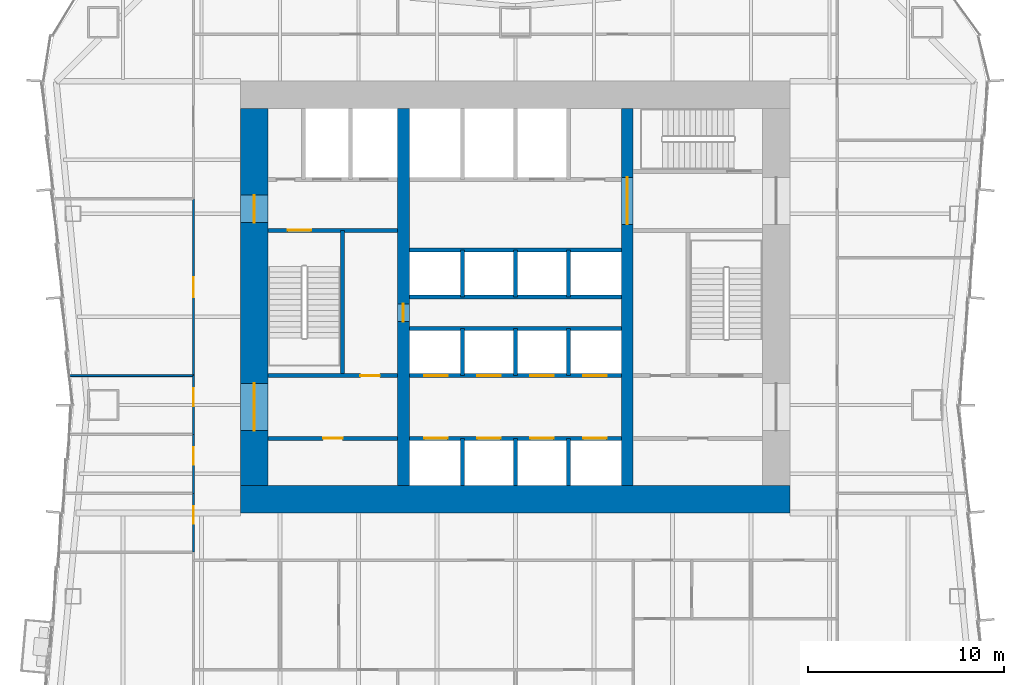
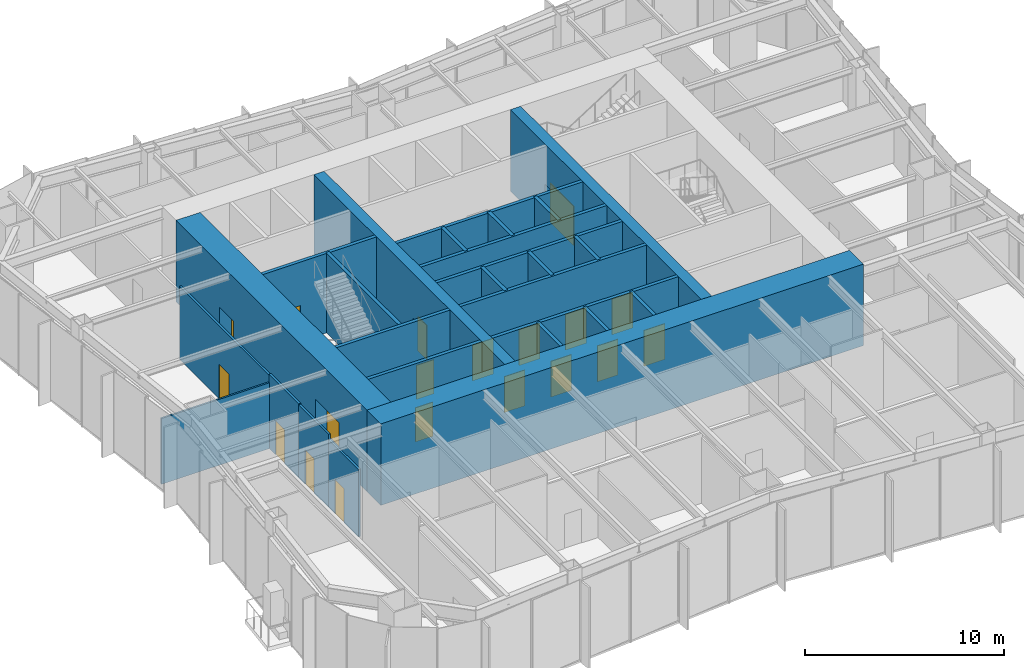
# One storey, part 10 of 14: 27 walls, 19 doors, 19 openings.
"""IFC4 building model written with IfcOpenShell, lengths in metres."""

from ifc_helpers import new_model, si_unit, direction, frame, frame_2d, origin, place, context, subcontext, project, spatial, rectangle, extrude, material, layer, layer_set, type_object, element, fill, save


model = new_model("IFC4")

# Units and contexts
model_context = context("Model", 3, precision=1e-05, world=origin(), true_north=direction((0.0, 1.0)))
body_context = subcontext(model_context, "Body", "Model", "MODEL_VIEW")
ifc_project = project(units=[si_unit("LENGTHUNIT", "METRE"), si_unit("AREAUNIT", "SQUARE_METRE"), si_unit("VOLUMEUNIT", "CUBIC_METRE"), si_unit("PLANEANGLEUNIT", "RADIAN"), si_unit("MASSUNIT", "GRAM", prefix="KILO")], contexts=[model_context])

# Site, building, storey
site_placement = place(None, origin())
site = spatial("IfcSite", under=ifc_project, at=site_placement, CompositionType="ELEMENT")
building_placement = place(site_placement, origin())
building = spatial("IfcBuilding", under=site, at=building_placement, Name="Verdant Reach Tower", CompositionType="ELEMENT")
storey_placement = place(building_placement, frame((0.0, 0.0, 9.0)))
storey = spatial("IfcBuildingStorey", under=building, at=storey_placement, Name="L01", CompositionType="ELEMENT", Elevation=9.0)

# Wall, opening, door
ifc_material_1 = material(Name="Gypsum board on steel studs", Category="steel")
ifc_layer_1 = layer(ifc_material_1, 0.199951171875)
ifc_layer_set_1 = layer_set([ifc_layer_1], Name="CO-WALL-ROOM")
wall_type_1 = type_object("IfcWallType", Name="CO-WALL-ROOM", PredefinedType="PARTITIONING", material=ifc_layer_set_1)
wall_1_placement = place(storey_placement, frame((-12.60009765625, 20.800048828125, 0.0), z_axis=(0.0, 0.0, 1.0), x_axis=(1.0, 0.0, 0.0)))
wall_1 = element("IfcWall", 1, at=wall_1_placement, inside=storey, type_object=wall_type_1, Name="Core partition, L01", PredefinedType="PARTITIONING", context=body_context, shape_type="SweptSolid", body=[
    extrude(rectangle(XDim=6.60009765625, YDim=0.199951171875, at=frame_2d((3.300048828125, 0.0))), origin(), (0.0, 0.0, 1.0), 4.8701171875),
])
opening_1_placement = place(wall_1_placement, frame((2.800048828125, 0.0, 0.0)))
opening_1 = element("IfcOpeningElement", 2, at=opening_1_placement, cuts=wall_1, Name="Opening CD", PredefinedType="OPENING", context=body_context, shape_type="SweptSolid", body=[
    extrude(rectangle(XDim=1.0, YDim=2.10009765625, at=frame_2d((0.5, 1.050048828125))), frame((0.0, 0.10986328125, 0.0), z_axis=(0.0, -1.0, 0.0), x_axis=(1.0, 0.0, 0.0)), (0.0, 0.0, 1.0), 0.219970703125),
])
ifc_material_2 = material(Name="Timber", Category="wood")
door_type_1 = type_object("IfcDoorType", Name="CO-DOOR-ROOM", OperationType="NOTDEFINED", PredefinedType="DOOR", material=ifc_material_2)
door_1_placement = place(opening_1_placement, origin())
door_1 = element("IfcDoor", 3, at=door_1_placement, inside=storey, type_object=door_type_1, Name="Core room door, L01", OperationType="SINGLE_SWING_LEFT", OverallHeight=2.10009765625, OverallWidth=1.0, PredefinedType="DOOR", context=body_context, shape_type="SweptSolid", body=[
    extrude(rectangle(XDim=1.0, YDim=2.10009765625, at=frame_2d((0.5, 1.050048828125))), frame((0.0, 0.02490234375, 0.0), z_axis=(0.0, -1.0, 0.0), x_axis=(1.0, 0.0, 0.0)), (0.0, 0.0, 1.0), 0.050048828125),
])
fill(opening_1, door_1)

# Wall, openings, doors
ifc_material_3 = material(Name="Concrete C40/50", Category="concrete")
ifc_layer_2 = layer(ifc_material_3, 0.199951171875)
ifc_layer_set_2 = layer_set([ifc_layer_2], Name="CO-WALL-SHAFT")
wall_type_2 = type_object("IfcWallType", Name="CO-WALL-SHAFT", PredefinedType="PARTITIONING", material=ifc_layer_set_2)
wall_2_placement = place(storey_placement, frame((-5.39990234375, 20.800048828125, 0.0), z_axis=(0.0, 0.0, 1.0), x_axis=(1.0, 0.0, 0.0)))
wall_2 = element("IfcWall", 4, at=wall_2_placement, inside=storey, type_object=wall_type_2, Name="Lift shaft wall, L01", PredefinedType="PARTITIONING", context=body_context, shape_type="SweptSolid", body=[
    extrude(rectangle(XDim=10.7998046875, YDim=0.199951171875, at=frame_2d((5.39990234375, 0.0))), origin(), (0.0, 0.0, 1.0), 4.8701171875),
])
opening_2_placement = place(wall_2_placement, frame((0.75, 0.0, 0.0)))
opening_2 = element("IfcOpeningElement", 5, at=opening_2_placement, cuts=wall_2, Name="Opening LD-A1", PredefinedType="OPENING", context=body_context, shape_type="SweptSolid", body=[
    extrude(rectangle(XDim=1.199951171875, YDim=2.199951171875, at=frame_2d((0.60009765625, 1.10009765625))), frame((0.0, 0.10986328125, 0.0), z_axis=(0.0, -1.0, 0.0), x_axis=(1.0, 0.0, 0.0)), (0.0, 0.0, 1.0), 0.219970703125),
])
opening_3_placement = place(wall_2_placement, frame((3.449951171875, 0.0, 0.0)))
opening_3 = element("IfcOpeningElement", 6, at=opening_3_placement, cuts=wall_2, Name="Opening LD-A2", PredefinedType="OPENING", context=body_context, shape_type="SweptSolid", body=[
    extrude(rectangle(XDim=1.199951171875, YDim=2.199951171875, at=frame_2d((0.60009765625, 1.10009765625))), frame((0.0, 0.10986328125, 0.0), z_axis=(0.0, -1.0, 0.0), x_axis=(1.0, 0.0, 0.0)), (0.0, 0.0, 1.0), 0.219970703125),
])
opening_4_placement = place(wall_2_placement, frame((6.14990234375, 0.0, 0.0)))
opening_4 = element("IfcOpeningElement", 7, at=opening_4_placement, cuts=wall_2, Name="Opening LD-A3", PredefinedType="OPENING", context=body_context, shape_type="SweptSolid", body=[
    extrude(rectangle(XDim=1.199951171875, YDim=2.199951171875, at=frame_2d((0.60009765625, 1.10009765625))), frame((0.0, 0.10986328125, 0.0), z_axis=(0.0, -1.0, 0.0), x_axis=(1.0, 0.0, 0.0)), (0.0, 0.0, 1.0), 0.219970703125),
])
opening_5_placement = place(wall_2_placement, frame((8.85009765625, 0.0, 0.0)))
opening_5 = element("IfcOpeningElement", 8, at=opening_5_placement, cuts=wall_2, Name="Opening LD-A4", PredefinedType="OPENING", context=body_context, shape_type="SweptSolid", body=[
    extrude(rectangle(XDim=1.199951171875, YDim=2.199951171875, at=frame_2d((0.60009765625, 1.10009765625))), frame((0.0, 0.10986328125, 0.0), z_axis=(0.0, -1.0, 0.0), x_axis=(1.0, 0.0, 0.0)), (0.0, 0.0, 1.0), 0.219970703125),
])
ifc_material_4 = material(Name="Stainless steel", Category="steel")
door_type_2 = type_object("IfcDoorType", Name="CO-DOOR-LANDING", OperationType="SLIDING_TO_LEFT", PredefinedType="DOOR", material=ifc_material_4)
door_2_placement = place(opening_2_placement, origin())
door_2 = element("IfcDoor", 9, at=door_2_placement, inside=storey, type_object=door_type_2, Name="Landing door A1, L01", OperationType="SLIDING_TO_LEFT", OverallHeight=2.199951171875, OverallWidth=1.199951171875, PredefinedType="DOOR", context=body_context, shape_type="SweptSolid", body=[
    extrude(rectangle(XDim=1.199951171875, YDim=2.199951171875, at=frame_2d((0.60009765625, 1.10009765625))), frame((0.0, 0.02490234375, 0.0), z_axis=(0.0, -1.0, 0.0), x_axis=(1.0, 0.0, 0.0)), (0.0, 0.0, 1.0), 0.050048828125),
])
fill(opening_2, door_2)
door_3_placement = place(opening_3_placement, origin())
door_3 = element("IfcDoor", 10, at=door_3_placement, inside=storey, type_object=door_type_2, Name="Landing door A2, L01", OperationType="SLIDING_TO_LEFT", OverallHeight=2.199951171875, OverallWidth=1.199951171875, PredefinedType="DOOR", context=body_context, shape_type="SweptSolid", body=[
    extrude(rectangle(XDim=1.199951171875, YDim=2.199951171875, at=frame_2d((0.60009765625, 1.10009765625))), frame((0.0, 0.02490234375, 0.0), z_axis=(0.0, -1.0, 0.0), x_axis=(1.0, 0.0, 0.0)), (0.0, 0.0, 1.0), 0.050048828125),
])
fill(opening_3, door_3)
door_4_placement = place(opening_4_placement, origin())
door_4 = element("IfcDoor", 11, at=door_4_placement, inside=storey, type_object=door_type_2, Name="Landing door A3, L01", OperationType="SLIDING_TO_LEFT", OverallHeight=2.199951171875, OverallWidth=1.199951171875, PredefinedType="DOOR", context=body_context, shape_type="SweptSolid", body=[
    extrude(rectangle(XDim=1.199951171875, YDim=2.199951171875, at=frame_2d((0.60009765625, 1.10009765625))), frame((0.0, 0.02490234375, 0.0), z_axis=(0.0, -1.0, 0.0), x_axis=(1.0, 0.0, 0.0)), (0.0, 0.0, 1.0), 0.050048828125),
])
fill(opening_4, door_4)
door_5_placement = place(opening_5_placement, origin())
door_5 = element("IfcDoor", 12, at=door_5_placement, inside=storey, type_object=door_type_2, Name="Landing door A4, L01", OperationType="SLIDING_TO_LEFT", OverallHeight=2.199951171875, OverallWidth=1.199951171875, PredefinedType="DOOR", context=body_context, shape_type="SweptSolid", body=[
    extrude(rectangle(XDim=1.199951171875, YDim=2.199951171875, at=frame_2d((0.60009765625, 1.10009765625))), frame((0.0, 0.02490234375, 0.0), z_axis=(0.0, -1.0, 0.0), x_axis=(1.0, 0.0, 0.0)), (0.0, 0.0, 1.0), 0.050048828125),
])
fill(opening_5, door_5)

wall_3_placement = place(storey_placement, frame((-5.39990234375, 24.0, 0.0), z_axis=(0.0, 0.0, 1.0), x_axis=(1.0, 0.0, 0.0)))
wall_3 = element("IfcWall", 13, at=wall_3_placement, inside=storey, type_object=wall_type_2, Name="Lift shaft wall, L01", PredefinedType="PARTITIONING", context=body_context, shape_type="SweptSolid", body=[
    extrude(rectangle(XDim=10.7998046875, YDim=0.199951171875, at=frame_2d((5.39990234375, 0.0))), origin(), (0.0, 0.0, 1.0), 4.8701171875),
])
opening_6_placement = place(wall_3_placement, frame((0.75, 0.0, 0.0)))
opening_6 = element("IfcOpeningElement", 14, at=opening_6_placement, cuts=wall_3, Name="Opening LD-A5", PredefinedType="OPENING", context=body_context, shape_type="SweptSolid", body=[
    extrude(rectangle(XDim=1.199951171875, YDim=2.199951171875, at=frame_2d((0.60009765625, 1.10009765625))), frame((0.0, 0.10986328125, 0.0), z_axis=(0.0, -1.0, 0.0), x_axis=(1.0, 0.0, 0.0)), (0.0, 0.0, 1.0), 0.219970703125),
])
opening_7_placement = place(wall_3_placement, frame((3.449951171875, 0.0, 0.0)))
opening_7 = element("IfcOpeningElement", 15, at=opening_7_placement, cuts=wall_3, Name="Opening LD-A6", PredefinedType="OPENING", context=body_context, shape_type="SweptSolid", body=[
    extrude(rectangle(XDim=1.199951171875, YDim=2.199951171875, at=frame_2d((0.60009765625, 1.10009765625))), frame((0.0, 0.10986328125, 0.0), z_axis=(0.0, -1.0, 0.0), x_axis=(1.0, 0.0, 0.0)), (0.0, 0.0, 1.0), 0.219970703125),
])
opening_8_placement = place(wall_3_placement, frame((6.14990234375, 0.0, 0.0)))
opening_8 = element("IfcOpeningElement", 16, at=opening_8_placement, cuts=wall_3, Name="Opening LD-A7", PredefinedType="OPENING", context=body_context, shape_type="SweptSolid", body=[
    extrude(rectangle(XDim=1.199951171875, YDim=2.199951171875, at=frame_2d((0.60009765625, 1.10009765625))), frame((0.0, 0.10986328125, 0.0), z_axis=(0.0, -1.0, 0.0), x_axis=(1.0, 0.0, 0.0)), (0.0, 0.0, 1.0), 0.219970703125),
])
opening_9_placement = place(wall_3_placement, frame((8.85009765625, 0.0, 0.0)))
opening_9 = element("IfcOpeningElement", 17, at=opening_9_placement, cuts=wall_3, Name="Opening LD-A8", PredefinedType="OPENING", context=body_context, shape_type="SweptSolid", body=[
    extrude(rectangle(XDim=1.199951171875, YDim=2.199951171875, at=frame_2d((0.60009765625, 1.10009765625))), frame((0.0, 0.10986328125, 0.0), z_axis=(0.0, -1.0, 0.0), x_axis=(1.0, 0.0, 0.0)), (0.0, 0.0, 1.0), 0.219970703125),
])
door_6_placement = place(opening_6_placement, origin())
door_6 = element("IfcDoor", 18, at=door_6_placement, inside=storey, type_object=door_type_2, Name="Landing door A5, L01", OperationType="SLIDING_TO_LEFT", OverallHeight=2.199951171875, OverallWidth=1.199951171875, PredefinedType="DOOR", context=body_context, shape_type="SweptSolid", body=[
    extrude(rectangle(XDim=1.199951171875, YDim=2.199951171875, at=frame_2d((0.60009765625, 1.10009765625))), frame((0.0, 0.02490234375, 0.0), z_axis=(0.0, -1.0, 0.0), x_axis=(1.0, 0.0, 0.0)), (0.0, 0.0, 1.0), 0.050048828125),
])
fill(opening_6, door_6)
door_7_placement = place(opening_7_placement, origin())
door_7 = element("IfcDoor", 19, at=door_7_placement, inside=storey, type_object=door_type_2, Name="Landing door A6, L01", OperationType="SLIDING_TO_LEFT", OverallHeight=2.199951171875, OverallWidth=1.199951171875, PredefinedType="DOOR", context=body_context, shape_type="SweptSolid", body=[
    extrude(rectangle(XDim=1.199951171875, YDim=2.199951171875, at=frame_2d((0.60009765625, 1.10009765625))), frame((0.0, 0.02490234375, 0.0), z_axis=(0.0, -1.0, 0.0), x_axis=(1.0, 0.0, 0.0)), (0.0, 0.0, 1.0), 0.050048828125),
])
fill(opening_7, door_7)
door_8_placement = place(opening_8_placement, origin())
door_8 = element("IfcDoor", 20, at=door_8_placement, inside=storey, type_object=door_type_2, Name="Landing door A7, L01", OperationType="SLIDING_TO_LEFT", OverallHeight=2.199951171875, OverallWidth=1.199951171875, PredefinedType="DOOR", context=body_context, shape_type="SweptSolid", body=[
    extrude(rectangle(XDim=1.199951171875, YDim=2.199951171875, at=frame_2d((0.60009765625, 1.10009765625))), frame((0.0, 0.02490234375, 0.0), z_axis=(0.0, -1.0, 0.0), x_axis=(1.0, 0.0, 0.0)), (0.0, 0.0, 1.0), 0.050048828125),
])
fill(opening_8, door_8)
door_9_placement = place(opening_9_placement, origin())
door_9 = element("IfcDoor", 21, at=door_9_placement, inside=storey, type_object=door_type_2, Name="Landing door A8, L01", OperationType="SLIDING_TO_LEFT", OverallHeight=2.199951171875, OverallWidth=1.199951171875, PredefinedType="DOOR", context=body_context, shape_type="SweptSolid", body=[
    extrude(rectangle(XDim=1.199951171875, YDim=2.199951171875, at=frame_2d((0.60009765625, 1.10009765625))), frame((0.0, 0.02490234375, 0.0), z_axis=(0.0, -1.0, 0.0), x_axis=(1.0, 0.0, 0.0)), (0.0, 0.0, 1.0), 0.050048828125),
])
fill(opening_9, door_9)

# Walls
for number, where, z_axis, x_axis, name in (
    (22, (-5.39990234375, 26.39990234375, 0.0), (0.0, 0.0, 1.0), (1.0, 0.0, 0.0), "Lift shaft wall, L01"),
    (23, (-5.39990234375, 28.0, 0.0), (0.0, 0.0, 1.0), (1.0, 0.0, 0.0), "Lift shaft wall, L01"),
    (24, (-5.39990234375, 30.39990234375, 0.0), (0.0, 0.0, 1.0), (1.0, 0.0, 0.0), "Lift shaft wall, L01"),
):
    element("IfcWall", number, at=place(storey_placement, frame(where, z_axis=z_axis, x_axis=x_axis)), inside=storey, type_object=wall_type_2, Name=name, PredefinedType="PARTITIONING", context=body_context, shape_type="SweptSolid", body=[
        extrude(rectangle(XDim=10.7998046875, YDim=0.199951171875, at=frame_2d((5.39990234375, 0.0))), origin(), (0.0, 0.0, 1.0), 4.8701171875),
    ])
wall_4_placement = place(storey_placement, frame((-2.699951171875, 18.39990234375, 0.0), z_axis=(0.0, 0.0, 1.0), x_axis=(0.0, 1.0, 0.0)))
element("IfcWall", 25, at=wall_4_placement, inside=storey, type_object=wall_type_2, Name="Lift shaft wall, L01", PredefinedType="PARTITIONING", context=body_context, shape_type="SweptSolid", body=[
    extrude(rectangle(XDim=2.400146484375, YDim=0.199951171875, at=frame_2d((1.2001953125, 0.0))), origin(), (0.0, 0.0, 1.0), 4.8701171875),
])
for number, where, z_axis, x_axis, name in (
    (26, (-2.699951171875, 24.0, 0.0), (0.0, 0.0, 1.0), (0.0, 1.0, 0.0), "Lift shaft wall, L01"),
    (27, (-2.699951171875, 28.0, 0.0), (0.0, 0.0, 1.0), (0.0, 1.0, 0.0), "Lift shaft wall, L01"),
):
    element("IfcWall", number, at=place(storey_placement, frame(where, z_axis=z_axis, x_axis=x_axis)), inside=storey, type_object=wall_type_2, Name=name, PredefinedType="PARTITIONING", context=body_context, shape_type="SweptSolid", body=[
        extrude(rectangle(XDim=2.39990234375, YDim=0.199951171875, at=frame_2d((1.199951171875, 0.0))), origin(), (0.0, 0.0, 1.0), 4.8701171875),
    ])
wall_5_placement = place(storey_placement, frame((0.0, 18.39990234375, 0.0), z_axis=(0.0, 0.0, 1.0), x_axis=(0.0, 1.0, 0.0)))
element("IfcWall", 28, at=wall_5_placement, inside=storey, type_object=wall_type_2, Name="Lift shaft wall, L01", PredefinedType="PARTITIONING", context=body_context, shape_type="SweptSolid", body=[
    extrude(rectangle(XDim=2.400146484375, YDim=0.199951171875, at=frame_2d((1.2001953125, 0.0))), origin(), (0.0, 0.0, 1.0), 4.8701171875),
])
for number, where, z_axis, x_axis, name in (
    (29, (0.0, 24.0, 0.0), (0.0, 0.0, 1.0), (0.0, 1.0, 0.0), "Lift shaft wall, L01"),
    (30, (0.0, 28.0, 0.0), (0.0, 0.0, 1.0), (0.0, 1.0, 0.0), "Lift shaft wall, L01"),
):
    element("IfcWall", number, at=place(storey_placement, frame(where, z_axis=z_axis, x_axis=x_axis)), inside=storey, type_object=wall_type_2, Name=name, PredefinedType="PARTITIONING", context=body_context, shape_type="SweptSolid", body=[
        extrude(rectangle(XDim=2.39990234375, YDim=0.199951171875, at=frame_2d((1.199951171875, 0.0))), origin(), (0.0, 0.0, 1.0), 4.8701171875),
    ])
wall_6_placement = place(storey_placement, frame((2.699951171875, 18.39990234375, 0.0), z_axis=(0.0, 0.0, 1.0), x_axis=(0.0, 1.0, 0.0)))
element("IfcWall", 31, at=wall_6_placement, inside=storey, type_object=wall_type_2, Name="Lift shaft wall, L01", PredefinedType="PARTITIONING", context=body_context, shape_type="SweptSolid", body=[
    extrude(rectangle(XDim=2.400146484375, YDim=0.199951171875, at=frame_2d((1.2001953125, 0.0))), origin(), (0.0, 0.0, 1.0), 4.8701171875),
])
for number, where, z_axis, x_axis, name in (
    (32, (2.699951171875, 24.0, 0.0), (0.0, 0.0, 1.0), (0.0, 1.0, 0.0), "Lift shaft wall, L01"),
    (33, (2.699951171875, 28.0, 0.0), (0.0, 0.0, 1.0), (0.0, 1.0, 0.0), "Lift shaft wall, L01"),
):
    element("IfcWall", number, at=place(storey_placement, frame(where, z_axis=z_axis, x_axis=x_axis)), inside=storey, type_object=wall_type_2, Name=name, PredefinedType="PARTITIONING", context=body_context, shape_type="SweptSolid", body=[
        extrude(rectangle(XDim=2.39990234375, YDim=0.199951171875, at=frame_2d((1.199951171875, 0.0))), origin(), (0.0, 0.0, 1.0), 4.8701171875),
    ])

# Wall, opening, door
ifc_layer_3 = layer(ifc_material_3, 0.199951171875)
ifc_layer_set_3 = layer_set([ifc_layer_3], Name="CO-WALL-STAIR")
wall_type_3 = type_object("IfcWallType", Name="CO-WALL-STAIR", PredefinedType="PARTITIONING", material=ifc_layer_set_3)
wall_7_placement = place(storey_placement, frame((-12.60009765625, 24.0, 0.0), z_axis=(0.0, 0.0, 1.0), x_axis=(1.0, 0.0, 0.0)))
wall_7 = element("IfcWall", 34, at=wall_7_placement, inside=storey, type_object=wall_type_3, Name="Stair enclosure wall, L01", PredefinedType="PARTITIONING", context=body_context, shape_type="SweptSolid", body=[
    extrude(rectangle(XDim=6.60009765625, YDim=0.199951171875, at=frame_2d((3.300048828125, 0.0))), origin(), (0.0, 0.0, 1.0), 4.8701171875),
])
opening_10_placement = place(wall_7_placement, frame((4.699951171875, 0.0, 0.0)))
opening_10 = element("IfcOpeningElement", 35, at=opening_10_placement, cuts=wall_7, Name="Opening CD", PredefinedType="OPENING", context=body_context, shape_type="SweptSolid", body=[
    extrude(rectangle(XDim=1.0, YDim=2.10009765625, at=frame_2d((0.5, 1.050048828125))), frame((0.0, 0.10986328125, 0.0), z_axis=(0.0, -1.0, 0.0), x_axis=(1.0, 0.0, 0.0)), (0.0, 0.0, 1.0), 0.219970703125),
])
door_10_placement = place(opening_10_placement, origin())
door_10 = element("IfcDoor", 36, at=door_10_placement, inside=storey, type_object=door_type_1, Name="Core room door, L01", OperationType="SINGLE_SWING_RIGHT", OverallHeight=2.10009765625, OverallWidth=1.0, PredefinedType="DOOR", context=body_context, shape_type="SweptSolid", body=[
    extrude(rectangle(XDim=1.0, YDim=2.10009765625, at=frame_2d((0.5, 1.050048828125))), frame((0.0, 0.02490234375, 0.0), z_axis=(0.0, -1.0, 0.0), x_axis=(1.0, 0.0, 0.0)), (0.0, 0.0, 1.0), 0.050048828125),
])
fill(opening_10, door_10)

wall_8_placement = place(storey_placement, frame((-12.60009765625, 31.39990234375, 0.0), z_axis=(0.0, 0.0, 1.0), x_axis=(1.0, 0.0, 0.0)))
wall_8 = element("IfcWall", 37, at=wall_8_placement, inside=storey, type_object=wall_type_3, Name="Stair enclosure wall, L01", PredefinedType="PARTITIONING", context=body_context, shape_type="SweptSolid", body=[
    extrude(rectangle(XDim=6.60009765625, YDim=0.199951171875, at=frame_2d((3.300048828125, 0.0))), origin(), (0.0, 0.0, 1.0), 4.8701171875),
])
opening_11_placement = place(wall_8_placement, frame((1.0, 0.0, 0.0)))
opening_11 = element("IfcOpeningElement", 38, at=opening_11_placement, cuts=wall_8, Name="Opening SD", PredefinedType="OPENING", context=body_context, shape_type="SweptSolid", body=[
    extrude(rectangle(XDim=1.199951171875, YDim=2.199951171875, at=frame_2d((0.60009765625, 1.10009765625))), frame((0.0, 0.10986328125, 0.0), z_axis=(0.0, -1.0, 0.0), x_axis=(1.0, 0.0, 0.0)), (0.0, 0.0, 1.0), 0.219970703125),
])
ifc_material_5 = material(Name="Steel", Category="steel")
door_type_3 = type_object("IfcDoorType", Name="CO-DOOR-STAIR", OperationType="NOTDEFINED", PredefinedType="DOOR", material=ifc_material_5)
door_11_placement = place(opening_11_placement, origin())
door_11 = element("IfcDoor", 39, at=door_11_placement, inside=storey, type_object=door_type_3, Name="Stair door, L01", OperationType="SINGLE_SWING_RIGHT", OverallHeight=2.199951171875, OverallWidth=1.199951171875, PredefinedType="DOOR", context=body_context, shape_type="SweptSolid", body=[
    extrude(rectangle(XDim=1.199951171875, YDim=2.199951171875, at=frame_2d((0.60009765625, 1.10009765625))), frame((0.0, 0.02490234375, 0.0), z_axis=(0.0, -1.0, 0.0), x_axis=(1.0, 0.0, 0.0)), (0.0, 0.0, 1.0), 0.050048828125),
])
fill(opening_11, door_11)

# Walls
wall_9_placement = place(storey_placement, frame((-8.800048828125, 24.0, 0.0), z_axis=(0.0, 0.0, 1.0), x_axis=(0.0, 1.0, 0.0)))
element("IfcWall", 40, at=wall_9_placement, inside=storey, type_object=wall_type_3, Name="Stair enclosure wall, L01", PredefinedType="PARTITIONING", context=body_context, shape_type="SweptSolid", body=[
    extrude(rectangle(XDim=7.39990234375, YDim=0.199951171875, at=frame_2d((3.699951171875, 0.0))), origin(), (0.0, 0.0, 1.0), 4.8701171875),
])
ifc_layer_4 = layer(ifc_material_1, 0.10009765625)
ifc_layer_set_4 = layer_set([ifc_layer_4], Name="FL-W1 Partition 100")
wall_type_4 = type_object("IfcWallType", Name="FL-W1 Partition 100", PredefinedType="PARTITIONING", material=ifc_layer_set_4)
wall_10_placement = place(storey_placement, frame((-16.39990234375, 24.0, 0.0), z_axis=(0.0, 0.0, 1.0), x_axis=(-1.0, 0.0, 0.0)))
element("IfcWall", 41, at=wall_10_placement, inside=storey, type_object=wall_type_4, Name="Partition 01.49", PredefinedType="PARTITIONING", context=body_context, shape_type="SweptSolid", body=[
    extrude(rectangle(XDim=6.31640625, YDim=0.10009765625, at=frame_2d((3.158203125, 0.0))), origin(), (0.0, 0.0, 1.0), 4.0400390625),
])

# Wall, opening, door
ifc_material_6 = material(Name="Gypsum board on steel studs, fire rated", Category="steel")
ifc_layer_5 = layer(ifc_material_6, 0.125)
ifc_layer_set_5 = layer_set([ifc_layer_5], Name="FL-W2 Corridor wall 125")
wall_type_5 = type_object("IfcWallType", Name="FL-W2 Corridor wall 125", PredefinedType="PARTITIONING", material=ifc_layer_set_5)
wall_11_placement = place(storey_placement, frame((-16.39990234375, 15.0, 0.0), z_axis=(0.0, 0.0, 1.0), x_axis=(0.0, 1.0, 0.0)))
wall_11 = element("IfcWall", 42, at=wall_11_placement, inside=storey, type_object=wall_type_5, Name="Partition 01.10", PredefinedType="PARTITIONING", context=body_context, shape_type="SweptSolid", body=[
    extrude(rectangle(XDim=3.0, YDim=0.125, at=frame_2d((1.5, 0.0))), origin(), (0.0, 0.0, 1.0), 4.139892578125),
])
opening_12_placement = place(wall_11_placement, frame((1.449951171875, 0.0, 0.0)))
opening_12 = element("IfcOpeningElement", 43, at=opening_12_placement, cuts=wall_11, Name="Opening D1", PredefinedType="OPENING", context=body_context, shape_type="SweptSolid", body=[
    extrude(rectangle(XDim=0.89990234375, YDim=2.10009765625, at=frame_2d((0.449951171875, 1.050048828125))), frame((0.0, 0.072509765625, 0.0), z_axis=(0.0, -1.0, 0.0), x_axis=(1.0, 0.0, 0.0)), (0.0, 0.0, 1.0), 0.14501953125),
])
ifc_material_7 = material(Name="Painted timber door leaf", Category="wood")
door_type_4 = type_object("IfcDoorType", Name="FL-D1 Door 900x2100", OperationType="NOTDEFINED", PredefinedType="DOOR", material=ifc_material_7)
door_12_placement = place(opening_12_placement, origin())
door_12 = element("IfcDoor", 44, at=door_12_placement, inside=storey, type_object=door_type_4, Name="Door 01-007", OperationType="SINGLE_SWING_RIGHT", OverallHeight=2.10009765625, OverallWidth=0.89990234375, PredefinedType="DOOR", context=body_context, shape_type="SweptSolid", body=[
    extrude(rectangle(XDim=0.89990234375, YDim=2.10009765625, at=frame_2d((0.449951171875, 1.050048828125))), frame((0.0, 0.02490234375, 0.0), z_axis=(0.0, -1.0, 0.0), x_axis=(1.0, 0.0, 0.0)), (0.0, 0.0, 1.0), 0.050048828125),
])
fill(opening_12, door_12)

wall_12_placement = place(storey_placement, frame((-16.39990234375, 18.0, 0.0), z_axis=(0.0, 0.0, 1.0), x_axis=(0.0, 1.0, 0.0)))
wall_12 = element("IfcWall", 45, at=wall_12_placement, inside=storey, type_object=wall_type_5, Name="Partition 01.11", PredefinedType="PARTITIONING", context=body_context, shape_type="SweptSolid", body=[
    extrude(rectangle(XDim=3.0, YDim=0.125, at=frame_2d((1.5, 0.0))), origin(), (0.0, 0.0, 1.0), 4.47998046875),
])
opening_13_placement = place(wall_12_placement, frame((1.449951171875, 0.0, 0.0)))
opening_13 = element("IfcOpeningElement", 46, at=opening_13_placement, cuts=wall_12, Name="Opening D1", PredefinedType="OPENING", context=body_context, shape_type="SweptSolid", body=[
    extrude(rectangle(XDim=0.89990234375, YDim=2.10009765625, at=frame_2d((0.449951171875, 1.050048828125))), frame((0.0, 0.072509765625, 0.0), z_axis=(0.0, -1.0, 0.0), x_axis=(1.0, 0.0, 0.0)), (0.0, 0.0, 1.0), 0.14501953125),
])
door_13_placement = place(opening_13_placement, origin())
door_13 = element("IfcDoor", 47, at=door_13_placement, inside=storey, type_object=door_type_4, Name="Door 01-008", OperationType="SINGLE_SWING_RIGHT", OverallHeight=2.10009765625, OverallWidth=0.89990234375, PredefinedType="DOOR", context=body_context, shape_type="SweptSolid", body=[
    extrude(rectangle(XDim=0.89990234375, YDim=2.10009765625, at=frame_2d((0.449951171875, 1.050048828125))), frame((0.0, 0.02490234375, 0.0), z_axis=(0.0, -1.0, 0.0), x_axis=(1.0, 0.0, 0.0)), (0.0, 0.0, 1.0), 0.050048828125),
])
fill(opening_13, door_13)

wall_13_placement = place(storey_placement, frame((-16.39990234375, 21.0, 0.0), z_axis=(0.0, 0.0, 1.0), x_axis=(0.0, 1.0, 0.0)))
wall_13 = element("IfcWall", 48, at=wall_13_placement, inside=storey, type_object=wall_type_5, Name="Partition 01.12", PredefinedType="PARTITIONING", context=body_context, shape_type="SweptSolid", body=[
    extrude(rectangle(XDim=3.0, YDim=0.125, at=frame_2d((1.5, 0.0))), origin(), (0.0, 0.0, 1.0), 4.5400390625),
])
opening_14_placement = place(wall_13_placement, frame((1.449951171875, 0.0, 0.0)))
opening_14 = element("IfcOpeningElement", 49, at=opening_14_placement, cuts=wall_13, Name="Opening D1", PredefinedType="OPENING", context=body_context, shape_type="SweptSolid", body=[
    extrude(rectangle(XDim=0.89990234375, YDim=2.10009765625, at=frame_2d((0.449951171875, 1.050048828125))), frame((0.0, 0.072509765625, 0.0), z_axis=(0.0, -1.0, 0.0), x_axis=(1.0, 0.0, 0.0)), (0.0, 0.0, 1.0), 0.14501953125),
])
door_14_placement = place(opening_14_placement, origin())
door_14 = element("IfcDoor", 50, at=door_14_placement, inside=storey, type_object=door_type_4, Name="Door 01-009", OperationType="SINGLE_SWING_RIGHT", OverallHeight=2.10009765625, OverallWidth=0.89990234375, PredefinedType="DOOR", context=body_context, shape_type="SweptSolid", body=[
    extrude(rectangle(XDim=0.89990234375, YDim=2.10009765625, at=frame_2d((0.449951171875, 1.050048828125))), frame((0.0, 0.02490234375, 0.0), z_axis=(0.0, -1.0, 0.0), x_axis=(1.0, 0.0, 0.0)), (0.0, 0.0, 1.0), 0.050048828125),
])
fill(opening_14, door_14)

wall_14_placement = place(storey_placement, frame((-16.39990234375, 24.0, 0.0), z_axis=(0.0, 0.0, 1.0), x_axis=(0.0, 1.0, 0.0)))
wall_14 = element("IfcWall", 51, at=wall_14_placement, inside=storey, type_object=wall_type_5, Name="Partition 01.13", PredefinedType="PARTITIONING", context=body_context, shape_type="SweptSolid", body=[
    extrude(rectangle(XDim=9.0, YDim=0.125, at=frame_2d((4.5, 0.0))), origin(), (0.0, 0.0, 1.0), 4.47998046875),
])
opening_15_placement = place(wall_14_placement, frame((4.0, 0.0, 0.0)))
opening_15 = element("IfcOpeningElement", 52, at=opening_15_placement, cuts=wall_14, Name="Opening D2", PredefinedType="OPENING", context=body_context, shape_type="SweptSolid", body=[
    extrude(rectangle(XDim=1.0, YDim=2.10009765625, at=frame_2d((0.5, 1.050048828125))), frame((0.0, 0.072509765625, 0.0), z_axis=(0.0, -1.0, 0.0), x_axis=(1.0, 0.0, 0.0)), (0.0, 0.0, 1.0), 0.14501953125),
])
ifc_material_8 = material(Name="Timber door leaf, fire rated", Category="wood")
door_type_5 = type_object("IfcDoorType", Name="FL-D2 Entrance door 1000x2100 FD30", OperationType="NOTDEFINED", PredefinedType="DOOR", material=ifc_material_8)
door_15_placement = place(opening_15_placement, origin())
door_15 = element("IfcDoor", 53, at=door_15_placement, inside=storey, type_object=door_type_5, Name="Door 01-010", OperationType="SINGLE_SWING_RIGHT", OverallHeight=2.10009765625, OverallWidth=1.0, PredefinedType="DOOR", context=body_context, shape_type="SweptSolid", body=[
    extrude(rectangle(XDim=1.0, YDim=2.10009765625, at=frame_2d((0.5, 1.050048828125))), frame((0.0, 0.02490234375, 0.0), z_axis=(0.0, -1.0, 0.0), x_axis=(1.0, 0.0, 0.0)), (0.0, 0.0, 1.0), 0.050048828125),
])
fill(opening_15, door_15)

# Wall
ifc_material_9 = material(Name="Concrete C70/85", Category="concrete")
ifc_layer_6 = layer(ifc_material_9, 1.39990234375)
ifc_layer_set_6 = layer_set([ifc_layer_6], Name="ST-CORE-WALL-1400")
wall_type_6 = type_object("IfcWallType", Name="ST-CORE-WALL-1400", PredefinedType="SHEAR", material=ifc_layer_set_6)
wall_15_placement = place(storey_placement, frame((-14.0, 17.699951171875, -0.1298828125), z_axis=(0.0, 0.0, 1.0), x_axis=(1.0, 0.0, 0.0)))
element("IfcWall", 54, at=wall_15_placement, inside=storey, type_object=wall_type_6, Name="Core wall S, L01", PredefinedType="SHEAR", context=body_context, shape_type="SweptSolid", body=[
    extrude(rectangle(XDim=28.0, YDim=1.39990234375, at=frame_2d((14.0, 0.0))), origin(), (0.0, 0.0, 1.0), 5.0),
])

# Wall, openings, doors
wall_16_placement = place(storey_placement, frame((-13.300048828125, 18.39990234375, -0.1298828125), z_axis=(0.0, 0.0, 1.0), x_axis=(0.0, 1.0, 0.0)))
wall_16 = element("IfcWall", 55, at=wall_16_placement, inside=storey, type_object=wall_type_6, Name="Core wall W, L01", PredefinedType="SHEAR", context=body_context, shape_type="SweptSolid", body=[
    extrude(rectangle(XDim=19.2001953125, YDim=1.39990234375, at=frame_2d((9.60009765625, 0.0))), origin(), (0.0, 0.0, 1.0), 5.0),
])
opening_16_placement = place(wall_16_placement, frame((2.800048828125, 0.0, 0.1298828125)))
opening_16 = element("IfcOpeningElement", 56, at=opening_16_placement, cuts=wall_16, Name="Opening LB", PredefinedType="OPENING", context=body_context, shape_type="SweptSolid", body=[
    extrude(rectangle(XDim=2.39990234375, YDim=2.39990234375, at=frame_2d((1.199951171875, 1.199951171875))), frame((0.0, 0.7099609375, 0.0), z_axis=(0.0, -1.0, 0.0), x_axis=(1.0, 0.0, 0.0)), (0.0, 0.0, 1.0), 1.419921875),
])
opening_17_placement = place(wall_16_placement, frame((13.39990234375, 0.0, 0.1298828125)))
opening_17 = element("IfcOpeningElement", 57, at=opening_17_placement, cuts=wall_16, Name="Opening FL", PredefinedType="OPENING", context=body_context, shape_type="SweptSolid", body=[
    extrude(rectangle(XDim=1.39990234375, YDim=2.199951171875, at=frame_2d((0.699951171875, 1.10009765625))), frame((0.0, 0.7099609375, 0.0), z_axis=(0.0, -1.0, 0.0), x_axis=(1.0, 0.0, 0.0)), (0.0, 0.0, 1.0), 1.419921875),
])
door_type_6 = type_object("IfcDoorType", Name="CO-DOOR-FFL", OperationType="NOTDEFINED", PredefinedType="DOOR", material=ifc_material_5)
door_16_placement = place(opening_17_placement, origin())
door_16 = element("IfcDoor", 58, at=door_16_placement, inside=storey, type_object=door_type_6, Name="Core entrance door, L01", OperationType="SINGLE_SWING_RIGHT", OverallHeight=2.199951171875, OverallWidth=1.39990234375, PredefinedType="DOOR", context=body_context, shape_type="SweptSolid", body=[
    extrude(rectangle(XDim=1.39990234375, YDim=2.199951171875, at=frame_2d((0.699951171875, 1.10009765625))), frame((0.0, 0.02490234375, 0.0), z_axis=(0.0, -1.0, 0.0), x_axis=(1.0, 0.0, 0.0)), (0.0, 0.0, 1.0), 0.050048828125),
])
fill(opening_17, door_16)
ifc_material_10 = material(Name="Glass and steel", Category="steel")
door_type_7 = type_object("IfcDoorType", Name="CO-DOOR-LOBBY", OperationType="DOUBLE_DOOR_SINGLE_SWING", PredefinedType="DOOR", material=ifc_material_10)
door_17_placement = place(opening_16_placement, origin())
door_17 = element("IfcDoor", 59, at=door_17_placement, inside=storey, type_object=door_type_7, Name="Core entrance door, L01", OperationType="DOUBLE_DOOR_SINGLE_SWING", OverallHeight=2.39990234375, OverallWidth=2.39990234375, PredefinedType="DOOR", context=body_context, shape_type="SweptSolid", body=[
    extrude(rectangle(XDim=2.39990234375, YDim=2.39990234375, at=frame_2d((1.199951171875, 1.199951171875))), frame((0.0, 0.02490234375, 0.0), z_axis=(0.0, -1.0, 0.0), x_axis=(1.0, 0.0, 0.0)), (0.0, 0.0, 1.0), 0.050048828125),
])
fill(opening_16, door_17)

# Wall, opening, door
ifc_layer_7 = layer(ifc_material_9, 0.60009765625)
ifc_layer_set_7 = layer_set([ifc_layer_7], Name="ST-CORE-WALL-600")
wall_type_7 = type_object("IfcWallType", Name="ST-CORE-WALL-600", PredefinedType="SHEAR", material=ifc_layer_set_7)
wall_17_placement = place(storey_placement, frame((-5.699951171875, 18.39990234375, -0.1298828125), z_axis=(0.0, 0.0, 1.0), x_axis=(0.0, 1.0, 0.0)))
wall_17 = element("IfcWall", 60, at=wall_17_placement, inside=storey, type_object=wall_type_7, Name="Core wall XW, L01", PredefinedType="SHEAR", context=body_context, shape_type="SweptSolid", body=[
    extrude(rectangle(XDim=19.2001953125, YDim=0.60009765625, at=frame_2d((9.60009765625, 0.0))), origin(), (0.0, 0.0, 1.0), 5.0),
])
opening_18_placement = place(wall_17_placement, frame((8.35009765625, 0.0, 0.1298828125)))
opening_18 = element("IfcOpeningElement", 61, at=opening_18_placement, cuts=wall_17, Name="Opening RD", PredefinedType="OPENING", context=body_context, shape_type="SweptSolid", body=[
    extrude(rectangle(XDim=0.89990234375, YDim=2.10009765625, at=frame_2d((0.449951171875, 1.050048828125))), frame((0.0, 0.31005859375, 0.0), z_axis=(0.0, -1.0, 0.0), x_axis=(1.0, 0.0, 0.0)), (0.0, 0.0, 1.0), 0.6201171875),
])
door_type_8 = type_object("IfcDoorType", Name="CO-DOOR-RISER", OperationType="NOTDEFINED", PredefinedType="DOOR", material=ifc_material_5)
door_18_placement = place(opening_18_placement, origin())
door_18 = element("IfcDoor", 62, at=door_18_placement, inside=storey, type_object=door_type_8, Name="Riser door, L01", OperationType="SINGLE_SWING_RIGHT", OverallHeight=2.10009765625, OverallWidth=0.89990234375, PredefinedType="DOOR", context=body_context, shape_type="SweptSolid", body=[
    extrude(rectangle(XDim=0.89990234375, YDim=2.10009765625, at=frame_2d((0.449951171875, 1.050048828125))), frame((0.0, 0.02490234375, 0.0), z_axis=(0.0, -1.0, 0.0), x_axis=(1.0, 0.0, 0.0)), (0.0, 0.0, 1.0), 0.050048828125),
])
fill(opening_18, door_18)

wall_18_placement = place(storey_placement, frame((5.699951171875, 18.39990234375, -0.1298828125), z_axis=(0.0, 0.0, 1.0), x_axis=(0.0, 1.0, 0.0)))
wall_18 = element("IfcWall", 63, at=wall_18_placement, inside=storey, type_object=wall_type_7, Name="Core wall XE, L01", PredefinedType="SHEAR", context=body_context, shape_type="SweptSolid", body=[
    extrude(rectangle(XDim=19.2001953125, YDim=0.60009765625, at=frame_2d((9.60009765625, 0.0))), origin(), (0.0, 0.0, 1.0), 5.0),
])
opening_19_placement = place(wall_18_placement, frame((13.300048828125, 0.0, 0.1298828125)))
opening_19 = element("IfcOpeningElement", 64, at=opening_19_placement, cuts=wall_18, Name="Opening LB", PredefinedType="OPENING", context=body_context, shape_type="SweptSolid", body=[
    extrude(rectangle(XDim=2.39990234375, YDim=2.39990234375, at=frame_2d((1.199951171875, 1.199951171875))), frame((0.0, 0.31005859375, 0.0), z_axis=(0.0, -1.0, 0.0), x_axis=(1.0, 0.0, 0.0)), (0.0, 0.0, 1.0), 0.6201171875),
])
door_19_placement = place(opening_19_placement, origin())
door_19 = element("IfcDoor", 65, at=door_19_placement, inside=storey, type_object=door_type_7, Name="Core entrance door, L01", OperationType="DOUBLE_DOOR_SINGLE_SWING", OverallHeight=2.39990234375, OverallWidth=2.39990234375, PredefinedType="DOOR", context=body_context, shape_type="SweptSolid", body=[
    extrude(rectangle(XDim=2.39990234375, YDim=2.39990234375, at=frame_2d((1.199951171875, 1.199951171875))), frame((0.0, 0.02490234375, 0.0), z_axis=(0.0, -1.0, 0.0), x_axis=(1.0, 0.0, 0.0)), (0.0, 0.0, 1.0), 0.050048828125),
])
fill(opening_19, door_19)

save(model, "model.ifc")
